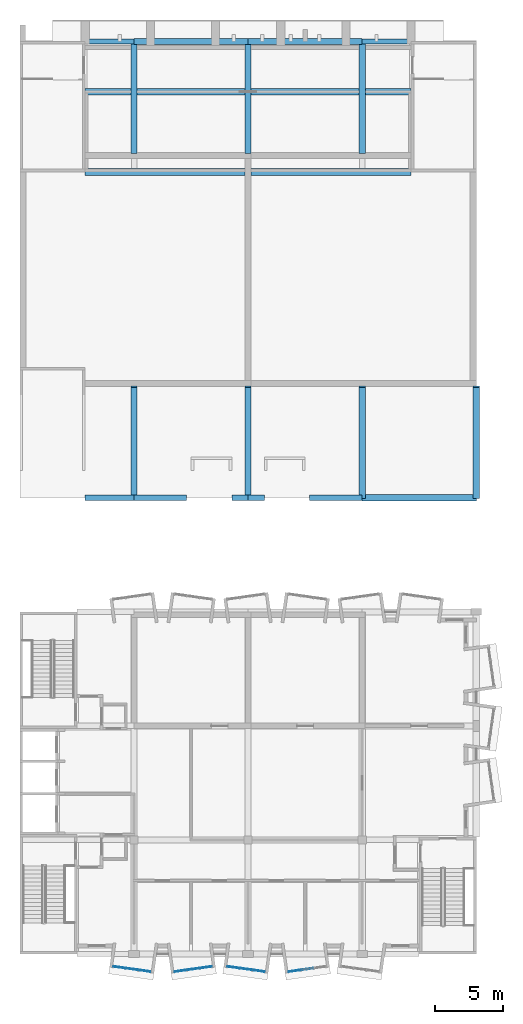
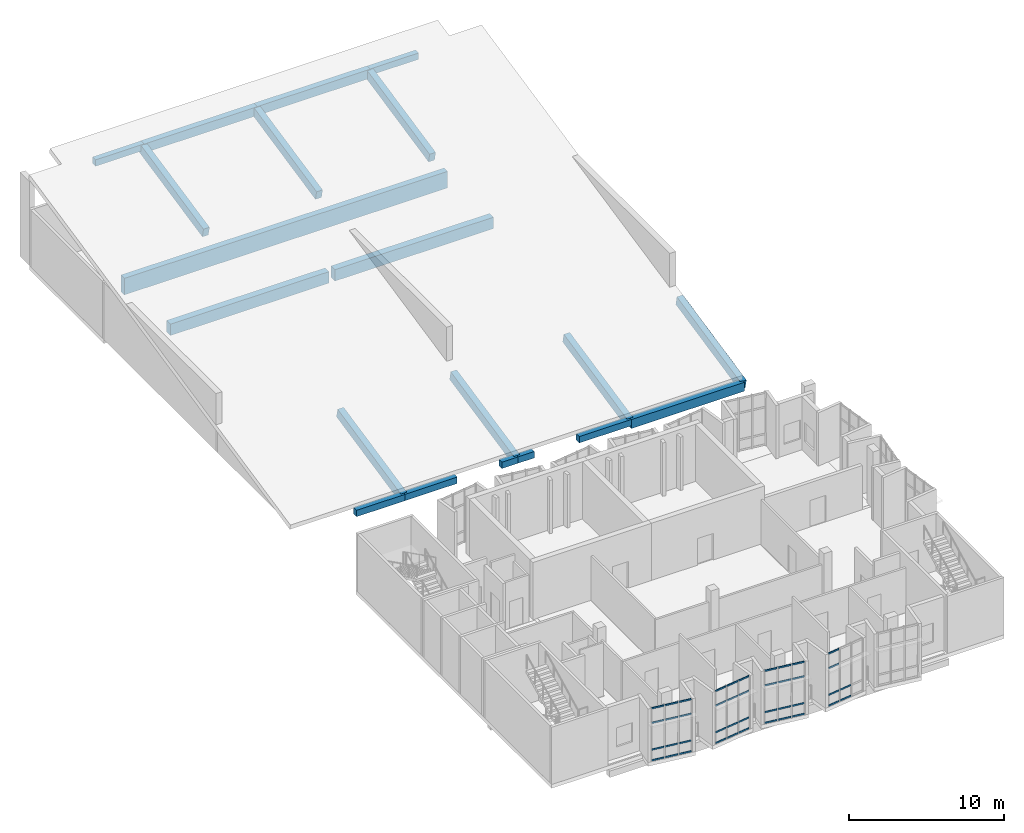
# One storey, part 5 of 19: 42 members, 20 beams, 4 elements without a shape of their own.
"""IFC4 building model written with IfcOpenShell, lengths in metres."""

from ifc_helpers import new_model, si_unit, direction, frame, origin, origin_2d, place, context, subcontext, project, spatial, rectangle, extrude, material, layer, layer_set, material_profile, profile_set, type_object, element, aggregate, save


model = new_model("IFC4")

# Units and contexts
model_context = context("Model", 3, precision=1e-05, world=origin(), true_north=direction((0.0, 1.0)))
body_context = subcontext(model_context, "Body", "Model", "MODEL_VIEW")
ifc_project = project(units=[si_unit("LENGTHUNIT", "METRE"), si_unit("AREAUNIT", "SQUARE_METRE"), si_unit("VOLUMEUNIT", "CUBIC_METRE"), si_unit("PLANEANGLEUNIT", "RADIAN"), si_unit("MASSUNIT", "GRAM", prefix="KILO")], contexts=[model_context])

# Site, building, storey
site_placement = place(None, origin())
site = spatial("IfcSite", under=ifc_project, at=site_placement, CompositionType="ELEMENT")
building_placement = place(site_placement, origin())
building = spatial("IfcBuilding", under=site, at=building_placement, Name="Kiln Court Media Centre", CompositionType="ELEMENT")
storey_placement = place(building_placement, frame((0.0, 0.0, 29.10009765625)))
storey = spatial("IfcBuildingStorey", under=building, at=storey_placement, Name="L06", CompositionType="ELEMENT", Elevation=29.10009765625)

# Curtain wall, members
ifc_material_1 = material(Name="Aluminium 6063-T6", Category="aluminium")
ifc_layer = layer(ifc_material_1, 0.1201171875)
ifc_layer_set = layer_set([ifc_layer], Name="Aluminium unitised bay curtain wall")
curtain_wall_type = type_object("IfcCurtainWallType", Name="Aluminium unitised bay curtain wall", PredefinedType="USERDEFINED", material=ifc_layer_set)
curtain_wall_1_placement = place(storey_placement, origin())
curtain_wall_1 = element("IfcCurtainWall", 1, at=curtain_wall_1_placement, inside=storey, type_object=curtain_wall_type, Name="BAY V6A-S-L06-40 front", ObjectType="UNITISED CURTAIN WALL", PredefinedType="USERDEFINED")
ifc_material_2 = material(Name="Aluminium 6063-T6", Category="aluminium")
ifc_material_profile_1 = material_profile(ifc_material_2, rectangle(XDim=0.06005859375, YDim=0.1201171875, at=origin_2d()), Name="Aluminium transom 60x120")
ifc_profile_set_1 = profile_set([ifc_material_profile_1], Name="Aluminium 6063-T6")
member_type = type_object("IfcMemberType", Name="Aluminium transom 60x120", PredefinedType="USERDEFINED", material=ifc_profile_set_1)
member_1_placement = place(storey_placement, frame((6.882568359375, -0.917724609375, 0.059814453125), z_axis=(0.990268108888, -0.139172815303, 0.0), x_axis=(0.139172815303, 0.990268108888, 0.0)))
member_1 = element("IfcMember", 2, at=member_1_placement, type_object=member_type, Name="CW6-10 transom 1.1", ObjectType="TRANSOM", PredefinedType="USERDEFINED", context=body_context, shape_type="SweptSolid", body=[
    extrude(rectangle(XDim=0.06005859375, YDim=0.1201171875, at=origin_2d()), origin(), (0.0, 0.0, 1.0), 0.86669921875),
])
member_2_placement = place(storey_placement, frame((6.882568359375, -0.917724609375, 0.89990234375), z_axis=(0.990268108888, -0.139172815303, 0.0), x_axis=(0.139172815303, 0.990268108888, 0.0)))
member_2 = element("IfcMember", 3, at=member_2_placement, type_object=member_type, Name="CW6-10 transom 1.2", ObjectType="TRANSOM", PredefinedType="USERDEFINED", context=body_context, shape_type="SweptSolid", body=[
    extrude(rectangle(XDim=0.06005859375, YDim=0.1201171875, at=origin_2d()), origin(), (0.0, 0.0, 1.0), 0.86669921875),
])
member_3_placement = place(storey_placement, frame((6.882568359375, -0.917724609375, 3.0), z_axis=(0.990268108888, -0.139172815303, 0.0), x_axis=(0.139172815303, 0.990268108888, 0.0)))
member_3 = element("IfcMember", 4, at=member_3_placement, type_object=member_type, Name="CW6-10 transom 1.3", ObjectType="TRANSOM", PredefinedType="USERDEFINED", context=body_context, shape_type="SweptSolid", body=[
    extrude(rectangle(XDim=0.06005859375, YDim=0.1201171875, at=origin_2d()), origin(), (0.0, 0.0, 1.0), 0.86669921875),
])
member_4_placement = place(storey_placement, frame((6.882568359375, -0.917724609375, 4.139892578125), z_axis=(0.990268108888, -0.139172815303, 0.0), x_axis=(0.139172815303, 0.990268108888, 0.0)))
member_4 = element("IfcMember", 5, at=member_4_placement, type_object=member_type, Name="CW6-10 transom 1.4", ObjectType="TRANSOM", PredefinedType="USERDEFINED", context=body_context, shape_type="SweptSolid", body=[
    extrude(rectangle(XDim=0.06005859375, YDim=0.1201171875, at=origin_2d()), origin(), (0.0, 0.0, 1.0), 0.86669921875),
])
member_5_placement = place(storey_placement, frame((7.80029296875, -1.046630859375, 0.059814453125), z_axis=(0.990273584723, -0.13913384707, 0.0), x_axis=(0.13913384707, 0.990273584723, 0.0)))
member_5 = element("IfcMember", 6, at=member_5_placement, type_object=member_type, Name="CW6-10 transom 2.1", ObjectType="TRANSOM", PredefinedType="USERDEFINED", context=body_context, shape_type="SweptSolid", body=[
    extrude(rectangle(XDim=0.06005859375, YDim=0.1201171875, at=origin_2d()), origin(), (0.0, 0.0, 1.0), 0.896728515625),
])
member_6_placement = place(storey_placement, frame((7.80029296875, -1.046630859375, 0.89990234375), z_axis=(0.990273584723, -0.13913384707, 0.0), x_axis=(0.13913384707, 0.990273584723, 0.0)))
member_6 = element("IfcMember", 7, at=member_6_placement, type_object=member_type, Name="CW6-10 transom 2.2", ObjectType="TRANSOM", PredefinedType="USERDEFINED", context=body_context, shape_type="SweptSolid", body=[
    extrude(rectangle(XDim=0.06005859375, YDim=0.1201171875, at=origin_2d()), origin(), (0.0, 0.0, 1.0), 0.896728515625),
])
member_7_placement = place(storey_placement, frame((7.80029296875, -1.046630859375, 3.0), z_axis=(0.990273584723, -0.13913384707, 0.0), x_axis=(0.13913384707, 0.990273584723, 0.0)))
member_7 = element("IfcMember", 8, at=member_7_placement, type_object=member_type, Name="CW6-10 transom 2.3", ObjectType="TRANSOM", PredefinedType="USERDEFINED", context=body_context, shape_type="SweptSolid", body=[
    extrude(rectangle(XDim=0.06005859375, YDim=0.1201171875, at=origin_2d()), origin(), (0.0, 0.0, 1.0), 0.896728515625),
])
member_8_placement = place(storey_placement, frame((7.80029296875, -1.046630859375, 4.139892578125), z_axis=(0.990273584723, -0.13913384707, 0.0), x_axis=(0.13913384707, 0.990273584723, 0.0)))
member_8 = element("IfcMember", 9, at=member_8_placement, type_object=member_type, Name="CW6-10 transom 2.4", ObjectType="TRANSOM", PredefinedType="USERDEFINED", context=body_context, shape_type="SweptSolid", body=[
    extrude(rectangle(XDim=0.06005859375, YDim=0.1201171875, at=origin_2d()), origin(), (0.0, 0.0, 1.0), 0.896728515625),
])
member_9_placement = place(storey_placement, frame((8.74755859375, -1.179931640625, 0.059814453125), z_axis=(0.990268108888, -0.139172815303, 0.0), x_axis=(0.139172815303, 0.990268108888, 0.0)))
member_9 = element("IfcMember", 10, at=member_9_placement, type_object=member_type, Name="CW6-10 transom 3.1", ObjectType="TRANSOM", PredefinedType="USERDEFINED", context=body_context, shape_type="SweptSolid", body=[
    extrude(rectangle(XDim=0.06005859375, YDim=0.1201171875, at=origin_2d()), origin(), (0.0, 0.0, 1.0), 0.86669921875),
])
member_10_placement = place(storey_placement, frame((8.74755859375, -1.179931640625, 0.89990234375), z_axis=(0.990268108888, -0.139172815303, 0.0), x_axis=(0.139172815303, 0.990268108888, 0.0)))
member_10 = element("IfcMember", 11, at=member_10_placement, type_object=member_type, Name="CW6-10 transom 3.2", ObjectType="TRANSOM", PredefinedType="USERDEFINED", context=body_context, shape_type="SweptSolid", body=[
    extrude(rectangle(XDim=0.06005859375, YDim=0.1201171875, at=origin_2d()), origin(), (0.0, 0.0, 1.0), 0.86669921875),
])
member_11_placement = place(storey_placement, frame((8.74755859375, -1.179931640625, 3.0), z_axis=(0.990268108888, -0.139172815303, 0.0), x_axis=(0.139172815303, 0.990268108888, 0.0)))
member_11 = element("IfcMember", 12, at=member_11_placement, type_object=member_type, Name="CW6-10 transom 3.3", ObjectType="TRANSOM", PredefinedType="USERDEFINED", context=body_context, shape_type="SweptSolid", body=[
    extrude(rectangle(XDim=0.06005859375, YDim=0.1201171875, at=origin_2d()), origin(), (0.0, 0.0, 1.0), 0.86669921875),
])
member_12_placement = place(storey_placement, frame((8.74755859375, -1.179931640625, 4.139892578125), z_axis=(0.990268108888, -0.139172815303, 0.0), x_axis=(0.139172815303, 0.990268108888, 0.0)))
member_12 = element("IfcMember", 13, at=member_12_placement, type_object=member_type, Name="CW6-10 transom 3.4", ObjectType="TRANSOM", PredefinedType="USERDEFINED", context=body_context, shape_type="SweptSolid", body=[
    extrude(rectangle(XDim=0.06005859375, YDim=0.1201171875, at=origin_2d()), origin(), (0.0, 0.0, 1.0), 0.86669921875),
])
aggregate(curtain_wall_1, [member_1, member_2, member_3, member_4, member_5, member_6, member_7, member_8, member_9, member_10, member_11, member_12])

curtain_wall_2_placement = place(storey_placement, origin())
curtain_wall_2 = element("IfcCurtainWall", 14, at=curtain_wall_2_placement, inside=storey, type_object=curtain_wall_type, Name="BAY V6A-S-L06-41 front", ObjectType="UNITISED CURTAIN WALL", PredefinedType="USERDEFINED")
member_13_placement = place(storey_placement, frame((11.394287109375, -1.300537109375, 0.059814453125), z_axis=(0.990268108888, 0.139172815303, 0.0), x_axis=(-0.139172815303, 0.990268108888, 0.0)))
member_13 = element("IfcMember", 15, at=member_13_placement, type_object=member_type, Name="CW6-11 transom 1.1", ObjectType="TRANSOM", PredefinedType="USERDEFINED", context=body_context, shape_type="SweptSolid", body=[
    extrude(rectangle(XDim=0.06005859375, YDim=0.1201171875, at=origin_2d()), origin(), (0.0, 0.0, 1.0), 0.86669921875),
])
member_14_placement = place(storey_placement, frame((11.394287109375, -1.300537109375, 0.89990234375), z_axis=(0.990268108888, 0.139172815303, 0.0), x_axis=(-0.139172815303, 0.990268108888, 0.0)))
member_14 = element("IfcMember", 16, at=member_14_placement, type_object=member_type, Name="CW6-11 transom 1.2", ObjectType="TRANSOM", PredefinedType="USERDEFINED", context=body_context, shape_type="SweptSolid", body=[
    extrude(rectangle(XDim=0.06005859375, YDim=0.1201171875, at=origin_2d()), origin(), (0.0, 0.0, 1.0), 0.86669921875),
])
member_15_placement = place(storey_placement, frame((11.394287109375, -1.300537109375, 3.0), z_axis=(0.990268108888, 0.139172815303, 0.0), x_axis=(-0.139172815303, 0.990268108888, 0.0)))
member_15 = element("IfcMember", 17, at=member_15_placement, type_object=member_type, Name="CW6-11 transom 1.3", ObjectType="TRANSOM", PredefinedType="USERDEFINED", context=body_context, shape_type="SweptSolid", body=[
    extrude(rectangle(XDim=0.06005859375, YDim=0.1201171875, at=origin_2d()), origin(), (0.0, 0.0, 1.0), 0.86669921875),
])
member_16_placement = place(storey_placement, frame((11.394287109375, -1.300537109375, 4.139892578125), z_axis=(0.990268108888, 0.139172815303, 0.0), x_axis=(-0.139172815303, 0.990268108888, 0.0)))
member_16 = element("IfcMember", 18, at=member_16_placement, type_object=member_type, Name="CW6-11 transom 1.4", ObjectType="TRANSOM", PredefinedType="USERDEFINED", context=body_context, shape_type="SweptSolid", body=[
    extrude(rectangle(XDim=0.06005859375, YDim=0.1201171875, at=origin_2d()), origin(), (0.0, 0.0, 1.0), 0.86669921875),
])
member_17_placement = place(storey_placement, frame((12.311767578125, -1.17138671875, 0.059814453125), z_axis=(0.990273584723, 0.13913384707, 0.0), x_axis=(-0.13913384707, 0.990273584723, 0.0)))
member_17 = element("IfcMember", 19, at=member_17_placement, type_object=member_type, Name="CW6-11 transom 2.1", ObjectType="TRANSOM", PredefinedType="USERDEFINED", context=body_context, shape_type="SweptSolid", body=[
    extrude(rectangle(XDim=0.06005859375, YDim=0.1201171875, at=origin_2d()), origin(), (0.0, 0.0, 1.0), 0.896728515625),
])
member_18_placement = place(storey_placement, frame((12.311767578125, -1.17138671875, 0.89990234375), z_axis=(0.990273584723, 0.13913384707, 0.0), x_axis=(-0.13913384707, 0.990273584723, 0.0)))
member_18 = element("IfcMember", 20, at=member_18_placement, type_object=member_type, Name="CW6-11 transom 2.2", ObjectType="TRANSOM", PredefinedType="USERDEFINED", context=body_context, shape_type="SweptSolid", body=[
    extrude(rectangle(XDim=0.06005859375, YDim=0.1201171875, at=origin_2d()), origin(), (0.0, 0.0, 1.0), 0.896728515625),
])
member_19_placement = place(storey_placement, frame((12.311767578125, -1.17138671875, 3.0), z_axis=(0.990273584723, 0.13913384707, 0.0), x_axis=(-0.13913384707, 0.990273584723, 0.0)))
member_19 = element("IfcMember", 21, at=member_19_placement, type_object=member_type, Name="CW6-11 transom 2.3", ObjectType="TRANSOM", PredefinedType="USERDEFINED", context=body_context, shape_type="SweptSolid", body=[
    extrude(rectangle(XDim=0.06005859375, YDim=0.1201171875, at=origin_2d()), origin(), (0.0, 0.0, 1.0), 0.896728515625),
])
member_20_placement = place(storey_placement, frame((12.311767578125, -1.17138671875, 4.139892578125), z_axis=(0.990273584723, 0.13913384707, 0.0), x_axis=(-0.13913384707, 0.990273584723, 0.0)))
member_20 = element("IfcMember", 22, at=member_20_placement, type_object=member_type, Name="CW6-11 transom 2.4", ObjectType="TRANSOM", PredefinedType="USERDEFINED", context=body_context, shape_type="SweptSolid", body=[
    extrude(rectangle(XDim=0.06005859375, YDim=0.1201171875, at=origin_2d()), origin(), (0.0, 0.0, 1.0), 0.896728515625),
])
member_21_placement = place(storey_placement, frame((13.25927734375, -1.038330078125, 0.059814453125), z_axis=(0.990268108888, 0.139172815303, 0.0), x_axis=(-0.139172815303, 0.990268108888, 0.0)))
member_21 = element("IfcMember", 23, at=member_21_placement, type_object=member_type, Name="CW6-11 transom 3.1", ObjectType="TRANSOM", PredefinedType="USERDEFINED", context=body_context, shape_type="SweptSolid", body=[
    extrude(rectangle(XDim=0.06005859375, YDim=0.1201171875, at=origin_2d()), origin(), (0.0, 0.0, 1.0), 0.86669921875),
])
member_22_placement = place(storey_placement, frame((13.25927734375, -1.038330078125, 0.89990234375), z_axis=(0.990268108888, 0.139172815303, 0.0), x_axis=(-0.139172815303, 0.990268108888, 0.0)))
member_22 = element("IfcMember", 24, at=member_22_placement, type_object=member_type, Name="CW6-11 transom 3.2", ObjectType="TRANSOM", PredefinedType="USERDEFINED", context=body_context, shape_type="SweptSolid", body=[
    extrude(rectangle(XDim=0.06005859375, YDim=0.1201171875, at=origin_2d()), origin(), (0.0, 0.0, 1.0), 0.86669921875),
])
member_23_placement = place(storey_placement, frame((13.25927734375, -1.038330078125, 3.0), z_axis=(0.990268108888, 0.139172815303, 0.0), x_axis=(-0.139172815303, 0.990268108888, 0.0)))
member_23 = element("IfcMember", 25, at=member_23_placement, type_object=member_type, Name="CW6-11 transom 3.3", ObjectType="TRANSOM", PredefinedType="USERDEFINED", context=body_context, shape_type="SweptSolid", body=[
    extrude(rectangle(XDim=0.06005859375, YDim=0.1201171875, at=origin_2d()), origin(), (0.0, 0.0, 1.0), 0.86669921875),
])
member_24_placement = place(storey_placement, frame((13.25927734375, -1.038330078125, 4.139892578125), z_axis=(0.990268108888, 0.139172815303, 0.0), x_axis=(-0.139172815303, 0.990268108888, 0.0)))
member_24 = element("IfcMember", 26, at=member_24_placement, type_object=member_type, Name="CW6-11 transom 3.4", ObjectType="TRANSOM", PredefinedType="USERDEFINED", context=body_context, shape_type="SweptSolid", body=[
    extrude(rectangle(XDim=0.06005859375, YDim=0.1201171875, at=origin_2d()), origin(), (0.0, 0.0, 1.0), 0.86669921875),
])
aggregate(curtain_wall_2, [member_13, member_14, member_15, member_16, member_17, member_18, member_19, member_20, member_21, member_22, member_23, member_24])

curtain_wall_3_placement = place(storey_placement, origin())
curtain_wall_3 = element("IfcCurtainWall", 27, at=curtain_wall_3_placement, inside=storey, type_object=curtain_wall_type, Name="BAY V6A-S-L06-42 front", ObjectType="UNITISED CURTAIN WALL", PredefinedType="USERDEFINED")
member_25_placement = place(storey_placement, frame((15.282470703125, -0.917724609375, 0.059814453125), z_axis=(0.990273563383, -0.139133998951, 0.0), x_axis=(0.139133998951, 0.990273563383, 0.0)))
member_25 = element("IfcMember", 28, at=member_25_placement, type_object=member_type, Name="CW6-12 transom 1.1", ObjectType="TRANSOM", PredefinedType="USERDEFINED", context=body_context, shape_type="SweptSolid", body=[
    extrude(rectangle(XDim=0.06005859375, YDim=0.1201171875, at=origin_2d()), origin(), (0.0, 0.0, 1.0), 0.866943359375),
])
member_26_placement = place(storey_placement, frame((15.282470703125, -0.917724609375, 0.89990234375), z_axis=(0.990273563383, -0.139133998951, 0.0), x_axis=(0.139133998951, 0.990273563383, 0.0)))
member_26 = element("IfcMember", 29, at=member_26_placement, type_object=member_type, Name="CW6-12 transom 1.2", ObjectType="TRANSOM", PredefinedType="USERDEFINED", context=body_context, shape_type="SweptSolid", body=[
    extrude(rectangle(XDim=0.06005859375, YDim=0.1201171875, at=origin_2d()), origin(), (0.0, 0.0, 1.0), 0.866943359375),
])
member_27_placement = place(storey_placement, frame((15.282470703125, -0.917724609375, 3.0), z_axis=(0.990273563383, -0.139133998951, 0.0), x_axis=(0.139133998951, 0.990273563383, 0.0)))
member_27 = element("IfcMember", 30, at=member_27_placement, type_object=member_type, Name="CW6-12 transom 1.3", ObjectType="TRANSOM", PredefinedType="USERDEFINED", context=body_context, shape_type="SweptSolid", body=[
    extrude(rectangle(XDim=0.06005859375, YDim=0.1201171875, at=origin_2d()), origin(), (0.0, 0.0, 1.0), 0.866943359375),
])
member_28_placement = place(storey_placement, frame((15.282470703125, -0.917724609375, 4.139892578125), z_axis=(0.990273563383, -0.139133998951, 0.0), x_axis=(0.139133998951, 0.990273563383, 0.0)))
member_28 = element("IfcMember", 31, at=member_28_placement, type_object=member_type, Name="CW6-12 transom 1.4", ObjectType="TRANSOM", PredefinedType="USERDEFINED", context=body_context, shape_type="SweptSolid", body=[
    extrude(rectangle(XDim=0.06005859375, YDim=0.1201171875, at=origin_2d()), origin(), (0.0, 0.0, 1.0), 0.866943359375),
])
member_29_placement = place(storey_placement, frame((16.2001953125, -1.046630859375, 0.059814453125), z_axis=(0.990273584723, -0.13913384707, 0.0), x_axis=(0.13913384707, 0.990273584723, 0.0)))
member_29 = element("IfcMember", 32, at=member_29_placement, type_object=member_type, Name="CW6-12 transom 2.1", ObjectType="TRANSOM", PredefinedType="USERDEFINED", context=body_context, shape_type="SweptSolid", body=[
    extrude(rectangle(XDim=0.06005859375, YDim=0.1201171875, at=origin_2d()), origin(), (0.0, 0.0, 1.0), 0.896728515625),
])
member_30_placement = place(storey_placement, frame((16.2001953125, -1.046630859375, 0.89990234375), z_axis=(0.990273584723, -0.13913384707, 0.0), x_axis=(0.13913384707, 0.990273584723, 0.0)))
member_30 = element("IfcMember", 33, at=member_30_placement, type_object=member_type, Name="CW6-12 transom 2.2", ObjectType="TRANSOM", PredefinedType="USERDEFINED", context=body_context, shape_type="SweptSolid", body=[
    extrude(rectangle(XDim=0.06005859375, YDim=0.1201171875, at=origin_2d()), origin(), (0.0, 0.0, 1.0), 0.896728515625),
])
member_31_placement = place(storey_placement, frame((16.2001953125, -1.046630859375, 3.0), z_axis=(0.990273584723, -0.13913384707, 0.0), x_axis=(0.13913384707, 0.990273584723, 0.0)))
member_31 = element("IfcMember", 34, at=member_31_placement, type_object=member_type, Name="CW6-12 transom 2.3", ObjectType="TRANSOM", PredefinedType="USERDEFINED", context=body_context, shape_type="SweptSolid", body=[
    extrude(rectangle(XDim=0.06005859375, YDim=0.1201171875, at=origin_2d()), origin(), (0.0, 0.0, 1.0), 0.896728515625),
])
member_32_placement = place(storey_placement, frame((16.2001953125, -1.046630859375, 4.139892578125), z_axis=(0.990273584723, -0.13913384707, 0.0), x_axis=(0.13913384707, 0.990273584723, 0.0)))
member_32 = element("IfcMember", 35, at=member_32_placement, type_object=member_type, Name="CW6-12 transom 2.4", ObjectType="TRANSOM", PredefinedType="USERDEFINED", context=body_context, shape_type="SweptSolid", body=[
    extrude(rectangle(XDim=0.06005859375, YDim=0.1201171875, at=origin_2d()), origin(), (0.0, 0.0, 1.0), 0.896728515625),
])
member_33_placement = place(storey_placement, frame((17.1474609375, -1.179931640625, 0.059814453125), z_axis=(0.990273563383, -0.139133998951, 0.0), x_axis=(0.139133998951, 0.990273563383, 0.0)))
member_33 = element("IfcMember", 36, at=member_33_placement, type_object=member_type, Name="CW6-12 transom 3.1", ObjectType="TRANSOM", PredefinedType="USERDEFINED", context=body_context, shape_type="SweptSolid", body=[
    extrude(rectangle(XDim=0.06005859375, YDim=0.1201171875, at=origin_2d()), origin(), (0.0, 0.0, 1.0), 0.866943359375),
])
member_34_placement = place(storey_placement, frame((17.1474609375, -1.179931640625, 0.89990234375), z_axis=(0.990273563383, -0.139133998951, 0.0), x_axis=(0.139133998951, 0.990273563383, 0.0)))
member_34 = element("IfcMember", 37, at=member_34_placement, type_object=member_type, Name="CW6-12 transom 3.2", ObjectType="TRANSOM", PredefinedType="USERDEFINED", context=body_context, shape_type="SweptSolid", body=[
    extrude(rectangle(XDim=0.06005859375, YDim=0.1201171875, at=origin_2d()), origin(), (0.0, 0.0, 1.0), 0.866943359375),
])
member_35_placement = place(storey_placement, frame((17.1474609375, -1.179931640625, 3.0), z_axis=(0.990273563383, -0.139133998951, 0.0), x_axis=(0.139133998951, 0.990273563383, 0.0)))
member_35 = element("IfcMember", 38, at=member_35_placement, type_object=member_type, Name="CW6-12 transom 3.3", ObjectType="TRANSOM", PredefinedType="USERDEFINED", context=body_context, shape_type="SweptSolid", body=[
    extrude(rectangle(XDim=0.06005859375, YDim=0.1201171875, at=origin_2d()), origin(), (0.0, 0.0, 1.0), 0.866943359375),
])
member_36_placement = place(storey_placement, frame((17.1474609375, -1.179931640625, 4.139892578125), z_axis=(0.990273563383, -0.139133998951, 0.0), x_axis=(0.139133998951, 0.990273563383, 0.0)))
member_36 = element("IfcMember", 39, at=member_36_placement, type_object=member_type, Name="CW6-12 transom 3.4", ObjectType="TRANSOM", PredefinedType="USERDEFINED", context=body_context, shape_type="SweptSolid", body=[
    extrude(rectangle(XDim=0.06005859375, YDim=0.1201171875, at=origin_2d()), origin(), (0.0, 0.0, 1.0), 0.866943359375),
])
aggregate(curtain_wall_3, [member_25, member_26, member_27, member_28, member_29, member_30, member_31, member_32, member_33, member_34, member_35, member_36])

curtain_wall_4_placement = place(storey_placement, origin())
curtain_wall_4 = element("IfcCurtainWall", 40, at=curtain_wall_4_placement, inside=storey, type_object=curtain_wall_type, Name="BAY V6A-S-L06-43 front", ObjectType="UNITISED CURTAIN WALL", PredefinedType="USERDEFINED")
member_37_placement = place(storey_placement, frame((19.794189453125, -1.300537109375, 0.059814453125), z_axis=(0.990268108888, 0.139172815303, 0.0), x_axis=(-0.139172815303, 0.990268108888, 0.0)))
member_37 = element("IfcMember", 41, at=member_37_placement, type_object=member_type, Name="CW6-13 transom 1.1", ObjectType="TRANSOM", PredefinedType="USERDEFINED", context=body_context, shape_type="SweptSolid", body=[
    extrude(rectangle(XDim=0.06005859375, YDim=0.1201171875, at=origin_2d()), origin(), (0.0, 0.0, 1.0), 0.86669921875),
])
member_38_placement = place(storey_placement, frame((19.794189453125, -1.300537109375, 0.89990234375), z_axis=(0.990268108888, 0.139172815303, 0.0), x_axis=(-0.139172815303, 0.990268108888, 0.0)))
member_38 = element("IfcMember", 42, at=member_38_placement, type_object=member_type, Name="CW6-13 transom 1.2", ObjectType="TRANSOM", PredefinedType="USERDEFINED", context=body_context, shape_type="SweptSolid", body=[
    extrude(rectangle(XDim=0.06005859375, YDim=0.1201171875, at=origin_2d()), origin(), (0.0, 0.0, 1.0), 0.86669921875),
])
member_39_placement = place(storey_placement, frame((19.794189453125, -1.300537109375, 3.0), z_axis=(0.990268108888, 0.139172815303, 0.0), x_axis=(-0.139172815303, 0.990268108888, 0.0)))
member_39 = element("IfcMember", 43, at=member_39_placement, type_object=member_type, Name="CW6-13 transom 1.3", ObjectType="TRANSOM", PredefinedType="USERDEFINED", context=body_context, shape_type="SweptSolid", body=[
    extrude(rectangle(XDim=0.06005859375, YDim=0.1201171875, at=origin_2d()), origin(), (0.0, 0.0, 1.0), 0.86669921875),
])
member_40_placement = place(storey_placement, frame((19.794189453125, -1.300537109375, 4.139892578125), z_axis=(0.990268108888, 0.139172815303, 0.0), x_axis=(-0.139172815303, 0.990268108888, 0.0)))
member_40 = element("IfcMember", 44, at=member_40_placement, type_object=member_type, Name="CW6-13 transom 1.4", ObjectType="TRANSOM", PredefinedType="USERDEFINED", context=body_context, shape_type="SweptSolid", body=[
    extrude(rectangle(XDim=0.06005859375, YDim=0.1201171875, at=origin_2d()), origin(), (0.0, 0.0, 1.0), 0.86669921875),
])
member_41_placement = place(storey_placement, frame((20.7119140625, -1.17138671875, 0.059814453125), z_axis=(0.990273584723, 0.13913384707, 0.0), x_axis=(-0.13913384707, 0.990273584723, 0.0)))
member_41 = element("IfcMember", 45, at=member_41_placement, type_object=member_type, Name="CW6-13 transom 2.1", ObjectType="TRANSOM", PredefinedType="USERDEFINED", context=body_context, shape_type="SweptSolid", body=[
    extrude(rectangle(XDim=0.06005859375, YDim=0.1201171875, at=origin_2d()), origin(), (0.0, 0.0, 1.0), 0.896728515625),
])
member_42_placement = place(storey_placement, frame((20.7119140625, -1.17138671875, 0.89990234375), z_axis=(0.990273584723, 0.13913384707, 0.0), x_axis=(-0.13913384707, 0.990273584723, 0.0)))
member_42 = element("IfcMember", 46, at=member_42_placement, type_object=member_type, Name="CW6-13 transom 2.2", ObjectType="TRANSOM", PredefinedType="USERDEFINED", context=body_context, shape_type="SweptSolid", body=[
    extrude(rectangle(XDim=0.06005859375, YDim=0.1201171875, at=origin_2d()), origin(), (0.0, 0.0, 1.0), 0.896728515625),
])
aggregate(curtain_wall_4, [member_37, member_38, member_39, member_40, member_41, member_42])

# Beams
ifc_material_3 = material(Name="Concrete C30/37", Category="concrete")
ifc_material_profile_2 = material_profile(ifc_material_3, rectangle(XDim=0.39990234375, YDim=0.5, at=origin_2d()), Name="RC 400x500")
ifc_profile_set_2 = profile_set([ifc_material_profile_2], Name="Concrete C30/37")
beam_type_1 = type_object("IfcBeamType", Name="Concrete C30/37 beam 400x500", PredefinedType="BEAM", material=ifc_profile_set_2)
beam_1_placement = place(storey_placement, frame((4.800048828125, 33.60009765625, -0.650146484375), z_axis=(1.0, 0.0, 0.0), x_axis=(0.0, 1.0, 0.0)))
element("IfcBeam", 47, at=beam_1_placement, inside=storey, type_object=beam_type_1, Name="L06-B-1035", PredefinedType="BEAM", context=body_context, shape_type="SweptSolid", body=[
    extrude(rectangle(XDim=0.39990234375, YDim=0.5, at=origin_2d()), origin(), (0.0, 0.0, 1.0), 3.599853515625),
])
beam_2_placement = place(storey_placement, frame((8.39990234375, 33.60009765625, -0.650146484375), z_axis=(1.0, 0.0, 0.0), x_axis=(0.0, 1.0, 0.0)))
element("IfcBeam", 48, at=beam_2_placement, inside=storey, type_object=beam_type_1, Name="L06-B-1036", PredefinedType="BEAM", context=body_context, shape_type="SweptSolid", body=[
    extrude(rectangle(XDim=0.39990234375, YDim=0.5, at=origin_2d()), origin(), (0.0, 0.0, 1.0), 3.8662109375),
])
for number, where, z_axis, x_axis, name in (
    (49, (15.60009765625, 33.60009765625, -0.650146484375), (1.0, 0.0, 0.0), (0.0, 1.0, 0.0), "L06-B-1037"),
    (50, (16.800048828125, 33.60009765625, -0.650146484375), (1.0, 0.0, 0.0), (0.0, 1.0, 0.0), "L06-B-1038"),
):
    element("IfcBeam", number, at=place(storey_placement, frame(where, z_axis=z_axis, x_axis=x_axis)), inside=storey, type_object=beam_type_1, Name=name, PredefinedType="BEAM", context=body_context, shape_type="SweptSolid", body=[
        extrude(rectangle(XDim=0.39990234375, YDim=0.5, at=origin_2d()), origin(), (0.0, 0.0, 1.0), 1.199951171875),
    ])
beam_3_placement = place(storey_placement, frame((21.333984375, 33.60009765625, -0.650146484375), z_axis=(1.0, 0.0, 0.0), x_axis=(0.0, 1.0, 0.0)))
element("IfcBeam", 51, at=beam_3_placement, inside=storey, type_object=beam_type_1, Name="L06-B-1039", PredefinedType="BEAM", context=body_context, shape_type="SweptSolid", body=[
    extrude(rectangle(XDim=0.39990234375, YDim=0.5, at=origin_2d()), origin(), (0.0, 0.0, 1.0), 3.865966796875),
])
beam_4_placement = place(storey_placement, frame((4.800048828125, 67.199951171875, 6.49169921875), z_axis=(1.0, 0.0, 0.0), x_axis=(0.0, 1.0, 0.0)))
element("IfcBeam", 52, at=beam_4_placement, inside=storey, type_object=beam_type_1, Name="L06-B-1041", PredefinedType="BEAM", context=body_context, shape_type="SweptSolid", body=[
    extrude(rectangle(XDim=0.39990234375, YDim=0.5, at=origin_2d()), origin(), (0.0, 0.0, 1.0), 3.599853515625),
])
beam_5_placement = place(storey_placement, frame((25.199951171875, 67.199951171875, 6.49169921875), z_axis=(1.0, 0.0, 0.0), x_axis=(0.0, 1.0, 0.0)))
element("IfcBeam", 53, at=beam_5_placement, inside=storey, type_object=beam_type_1, Name="L06-B-1044", PredefinedType="BEAM", context=body_context, shape_type="SweptSolid", body=[
    extrude(rectangle(XDim=0.39990234375, YDim=0.5, at=origin_2d()), origin(), (0.0, 0.0, 1.0), 3.60009765625),
])
ifc_material_4 = material(Name="Concrete C30/37", Category="concrete")
ifc_material_profile_3 = material_profile(ifc_material_4, rectangle(XDim=0.449951171875, YDim=1.300048828125, at=origin_2d()), Name="RC 450x1300")
ifc_profile_set_3 = profile_set([ifc_material_profile_3], Name="Concrete C30/37")
beam_type_2 = type_object("IfcBeamType", Name="Concrete C30/37 beam 450x1300", PredefinedType="BEAM", material=ifc_profile_set_3)
beam_6_placement = place(storey_placement, frame((4.800048828125, 63.5, -0.9501953125), z_axis=(1.0, 0.0, 0.0), x_axis=(0.0, 1.0, 0.0)))
element("IfcBeam", 54, at=beam_6_placement, inside=storey, type_object=beam_type_2, Name="L06-B-1047", PredefinedType="BEAM", context=body_context, shape_type="SweptSolid", body=[
    extrude(rectangle(XDim=0.449951171875, YDim=1.300048828125, at=origin_2d()), origin(), (0.0, 0.0, 1.0), 24.0),
])
ifc_material_5 = material(Name="Concrete C30/37", Category="concrete")
ifc_material_profile_4 = material_profile(ifc_material_5, rectangle(XDim=0.449951171875, YDim=0.699951171875, at=origin_2d()), Name="RC 450x700")
ifc_profile_set_4 = profile_set([ifc_material_profile_4], Name="Concrete C30/37")
beam_type_3 = type_object("IfcBeamType", Name="Concrete C30/37 beam 450x700", PredefinedType="BEAM", material=ifc_profile_set_4)
beam_7_placement = place(storey_placement, frame((8.39990234375, 33.60009765625, -0.75), z_axis=(0.0, 0.978149049757, 0.207904873585), x_axis=(-1.0, 0.0, 0.0)))
element("IfcBeam", 55, at=beam_7_placement, inside=storey, type_object=beam_type_3, Name="L06-B-1028", PredefinedType="BEAM", context=body_context, shape_type="SweptSolid", body=[
    extrude(rectangle(XDim=0.449951171875, YDim=0.699951171875, at=origin_2d()), origin(), (0.0, 0.0, 1.0), 8.357421875),
])
beam_8_placement = place(storey_placement, frame((8.39990234375, 59.02490234375, 4.654296875), z_axis=(0.0, 0.978150312393, 0.207898933054), x_axis=(-1.0, 0.0, 0.0)))
element("IfcBeam", 56, at=beam_8_placement, inside=storey, type_object=beam_type_3, Name="L06-B-1029", PredefinedType="BEAM", context=body_context, shape_type="SweptSolid", body=[
    extrude(rectangle(XDim=0.449951171875, YDim=0.699951171875, at=origin_2d()), origin(), (0.0, 0.0, 1.0), 8.357666015625),
])
beam_9_placement = place(storey_placement, frame((16.800048828125, 33.60009765625, -0.75), z_axis=(0.0, 0.978149049757, 0.207904873585), x_axis=(-1.0, 0.0, 0.0)))
element("IfcBeam", 57, at=beam_9_placement, inside=storey, type_object=beam_type_3, Name="L06-B-1030", PredefinedType="BEAM", context=body_context, shape_type="SweptSolid", body=[
    extrude(rectangle(XDim=0.449951171875, YDim=0.699951171875, at=origin_2d()), origin(), (0.0, 0.0, 1.0), 8.357421875),
])
beam_10_placement = place(storey_placement, frame((16.800048828125, 59.02490234375, 4.654296875), z_axis=(0.0, 0.978150312393, 0.207898933054), x_axis=(-1.0, 0.0, 0.0)))
element("IfcBeam", 58, at=beam_10_placement, inside=storey, type_object=beam_type_3, Name="L06-B-1031", PredefinedType="BEAM", context=body_context, shape_type="SweptSolid", body=[
    extrude(rectangle(XDim=0.449951171875, YDim=0.699951171875, at=origin_2d()), origin(), (0.0, 0.0, 1.0), 8.357666015625),
])
beam_11_placement = place(storey_placement, frame((25.199951171875, 33.60009765625, -0.75), z_axis=(0.0, 0.978149049757, 0.207904873585), x_axis=(-1.0, 0.0, 0.0)))
element("IfcBeam", 59, at=beam_11_placement, inside=storey, type_object=beam_type_3, Name="L06-B-1032", PredefinedType="BEAM", context=body_context, shape_type="SweptSolid", body=[
    extrude(rectangle(XDim=0.449951171875, YDim=0.699951171875, at=origin_2d()), origin(), (0.0, 0.0, 1.0), 8.357421875),
])
beam_12_placement = place(storey_placement, frame((25.199951171875, 59.02490234375, 4.654296875), z_axis=(0.0, 0.978150312393, 0.207898933054), x_axis=(-1.0, 0.0, 0.0)))
element("IfcBeam", 60, at=beam_12_placement, inside=storey, type_object=beam_type_3, Name="L06-B-1033", PredefinedType="BEAM", context=body_context, shape_type="SweptSolid", body=[
    extrude(rectangle(XDim=0.449951171875, YDim=0.699951171875, at=origin_2d()), origin(), (0.0, 0.0, 1.0), 8.357666015625),
])
beam_13_placement = place(storey_placement, frame((33.60009765625, 33.60009765625, -0.75), z_axis=(0.0, 0.978149049757, 0.207904873585), x_axis=(-1.0, 0.0, 0.0)))
element("IfcBeam", 61, at=beam_13_placement, inside=storey, type_object=beam_type_3, Name="L06-B-1034", PredefinedType="BEAM", context=body_context, shape_type="SweptSolid", body=[
    extrude(rectangle(XDim=0.449951171875, YDim=0.699951171875, at=origin_2d()), origin(), (0.0, 0.0, 1.0), 8.357421875),
])
for number, where, z_axis, x_axis, name in (
    (62, (25.199951171875, 33.60009765625, -0.75), (1.0, 0.0, 0.0), (0.0, 1.0, 0.0), "L06-B-1040"),
    (63, (8.39990234375, 67.199951171875, 6.391845703125), (1.0, 0.0, 0.0), (0.0, 1.0, 0.0), "L06-B-1042"),
):
    element("IfcBeam", number, at=place(storey_placement, frame(where, z_axis=z_axis, x_axis=x_axis)), inside=storey, type_object=beam_type_3, Name=name, PredefinedType="BEAM", context=body_context, shape_type="SweptSolid", body=[
        extrude(rectangle(XDim=0.449951171875, YDim=0.699951171875, at=origin_2d()), origin(), (0.0, 0.0, 1.0), 8.400146484375),
    ])
beam_14_placement = place(storey_placement, frame((16.800048828125, 67.199951171875, 6.391845703125), z_axis=(1.0, 0.0, 0.0), x_axis=(0.0, 1.0, 0.0)))
element("IfcBeam", 64, at=beam_14_placement, inside=storey, type_object=beam_type_3, Name="L06-B-1043", PredefinedType="BEAM", context=body_context, shape_type="SweptSolid", body=[
    extrude(rectangle(XDim=0.449951171875, YDim=0.699951171875, at=origin_2d()), origin(), (0.0, 0.0, 1.0), 8.39990234375),
])
ifc_material_6 = material(Name="Concrete C30/37", Category="concrete")
ifc_material_profile_5 = material_profile(ifc_material_6, rectangle(XDim=0.5, YDim=0.89990234375, at=origin_2d()), Name="RC 500x900")
ifc_profile_set_5 = profile_set([ifc_material_profile_5], Name="Concrete C30/37")
beam_type_4 = type_object("IfcBeamType", Name="Concrete C30/37 beam 500x900", PredefinedType="BEAM", material=ifc_profile_set_5)
beam_15_placement = place(storey_placement, frame((28.800048828125, 57.60009765625, -0.75), z_axis=(-1.0, 0.0, 0.0), x_axis=(0.0, -1.0, 0.0)))
element("IfcBeam", 65, at=beam_15_placement, inside=storey, type_object=beam_type_4, Name="L06-B-1048", PredefinedType="BEAM", context=body_context, shape_type="SweptSolid", body=[
    extrude(rectangle(XDim=0.5, YDim=0.89990234375, at=origin_2d()), origin(), (0.0, 0.0, 1.0), 11.775146484375),
])
beam_16_placement = place(storey_placement, frame((16.574951171875, 57.60009765625, -0.75), z_axis=(-1.0, 0.0, 0.0), x_axis=(0.0, -1.0, 0.0)))
element("IfcBeam", 66, at=beam_16_placement, inside=storey, type_object=beam_type_4, Name="L06-B-1049", PredefinedType="BEAM", context=body_context, shape_type="SweptSolid", body=[
    extrude(rectangle(XDim=0.5, YDim=0.89990234375, at=origin_2d()), origin(), (0.0, 0.0, 1.0), 11.77490234375),
])

save(model, "model.ifc")
